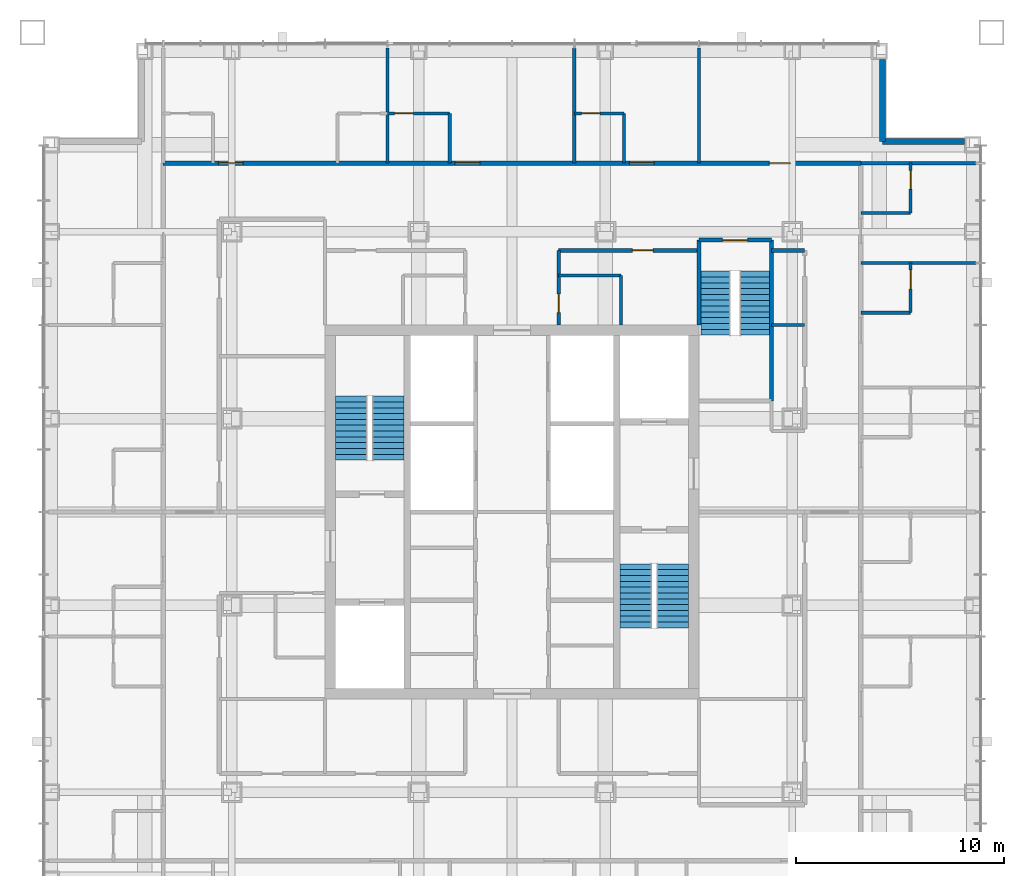
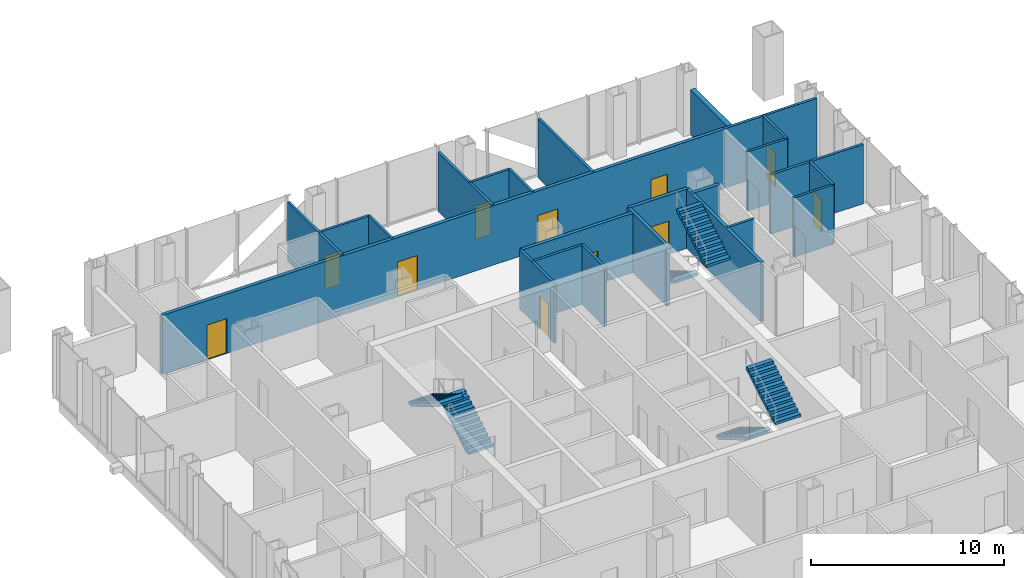
# One storey, part 11 of 17: 25 walls, 11 doors, 6 stair flights, 11 openings, 3 elements without a shape of their own.
"""IFC4 building model written with IfcOpenShell, lengths in metres."""

from ifc_helpers import new_model, si_unit, direction, frame, frame_2d, origin, place, context, subcontext, project, spatial, polyline, rectangle, outline, extrude, material, layer, layer_set, type_object, element, fill, aggregate, save


model = new_model("IFC4")

# Units and contexts
model_context = context("Model", 3, precision=1e-05, world=origin(), true_north=direction((0.0, 1.0)))
body_context = subcontext(model_context, "Body", "Model", "MODEL_VIEW")
ifc_project = project(units=[si_unit("LENGTHUNIT", "METRE"), si_unit("AREAUNIT", "SQUARE_METRE"), si_unit("VOLUMEUNIT", "CUBIC_METRE"), si_unit("PLANEANGLEUNIT", "RADIAN"), si_unit("MASSUNIT", "GRAM", prefix="KILO")], contexts=[model_context])

# Site, building, storey
site_placement = place(None, origin())
site = spatial("IfcSite", under=ifc_project, at=site_placement, CompositionType="ELEMENT")
building_placement = place(site_placement, origin())
building = spatial("IfcBuilding", under=site, at=building_placement, Name="Malebo Sky Hospital", CompositionType="ELEMENT")
storey_placement = place(building_placement, frame((0.0, 0.0, 185.0)))
storey = spatial("IfcBuildingStorey", under=building, at=storey_placement, Name="L44", CompositionType="ELEMENT", Elevation=185.0)

# Wall, openings, doors
ifc_material_1 = material(Name="Gypsum board on steel studs", Category="steel")
ifc_layer_1 = layer(ifc_material_1, 0.199951171875)
ifc_layer_set_1 = layer_set([ifc_layer_1], Name="CORRIDOR WALL 200")
wall_type_1 = type_object("IfcWallType", Name="CORRIDOR WALL 200", PredefinedType="PARTITIONING", material=ifc_layer_set_1)
wall_1_placement = place(storey_placement, frame((43.199951171875, 78.800048828125, 0.0), z_axis=(0.0, 0.0, 1.0), x_axis=(1.0, 0.0, 0.0)))
wall_1 = element("IfcWall", 1, at=wall_1_placement, inside=storey, type_object=wall_type_1, Name="Corridor Wall 200 NCO", PredefinedType="PARTITIONING", context=body_context, shape_type="SweptSolid", body=[
    extrude(rectangle(XDim=33.60009765625, YDim=0.199951171875, at=frame_2d((16.800048828125, 0.0))), origin(), (0.0, 0.0, 1.0), 3.75),
])
opening_1_placement = place(wall_1_placement, frame((2.64990234375, 0.0, 0.0)))
opening_1 = element("IfcOpeningElement", 2, at=opening_1_placement, cuts=wall_1, Name="Opening D01", PredefinedType="OPENING", context=body_context, shape_type="SweptSolid", body=[
    extrude(rectangle(XDim=1.199951171875, YDim=2.199951171875, at=frame_2d((0.60009765625, 1.10009765625))), frame((0.0, 0.10986328125, 0.0), z_axis=(0.0, -1.0, 0.0), x_axis=(1.0, 0.0, 0.0)), (0.0, 0.0, 1.0), 0.219970703125),
])
opening_2_placement = place(wall_1_placement, frame((14.050048828125, 0.0, 0.0)))
opening_2 = element("IfcOpeningElement", 3, at=opening_2_placement, cuts=wall_1, Name="Opening D01", PredefinedType="OPENING", context=body_context, shape_type="SweptSolid", body=[
    extrude(rectangle(XDim=1.199951171875, YDim=2.199951171875, at=frame_2d((0.60009765625, 1.10009765625))), frame((0.0, 0.10986328125, 0.0), z_axis=(0.0, -1.0, 0.0), x_axis=(1.0, 0.0, 0.0)), (0.0, 0.0, 1.0), 0.219970703125),
])
opening_3_placement = place(wall_1_placement, frame((22.449951171875, 0.0, 0.0)))
opening_3 = element("IfcOpeningElement", 4, at=opening_3_placement, cuts=wall_1, Name="Opening D01", PredefinedType="OPENING", context=body_context, shape_type="SweptSolid", body=[
    extrude(rectangle(XDim=1.199951171875, YDim=2.199951171875, at=frame_2d((0.60009765625, 1.10009765625))), frame((0.0, 0.10986328125, 0.0), z_axis=(0.0, -1.0, 0.0), x_axis=(1.0, 0.0, 0.0)), (0.0, 0.0, 1.0), 0.219970703125),
])
opening_4_placement = place(wall_1_placement, frame((29.199951171875, 0.0, 0.0)))
opening_4 = element("IfcOpeningElement", 5, at=opening_4_placement, cuts=wall_1, Name="Opening D03", PredefinedType="OPENING", context=body_context, shape_type="SweptSolid", body=[
    extrude(rectangle(XDim=1.0, YDim=2.10009765625, at=frame_2d((0.5, 1.050048828125))), frame((0.0, 0.10986328125, 0.0), z_axis=(0.0, -1.0, 0.0), x_axis=(1.0, 0.0, 0.0)), (0.0, 0.0, 1.0), 0.219970703125),
])
ifc_material_2 = material(Name="Hardwood-faced door leaf in steel frame", Category="steel")
door_type_1 = type_object("IfcDoorType", Name="BED DOOR 1200", OperationType="SINGLE_SWING_LEFT", PredefinedType="DOOR", material=ifc_material_2)
door_1_placement = place(opening_1_placement, origin())
door_1 = element("IfcDoor", 6, at=door_1_placement, inside=storey, type_object=door_type_1, Name="Four-bed bay door", OperationType="SINGLE_SWING_LEFT", OverallHeight=2.199951171875, OverallWidth=1.199951171875, PredefinedType="DOOR", context=body_context, shape_type="SweptSolid", body=[
    extrude(rectangle(XDim=1.199951171875, YDim=2.199951171875, at=frame_2d((0.60009765625, 1.10009765625))), frame((0.0, 0.02490234375, 0.0), z_axis=(0.0, -1.0, 0.0), x_axis=(1.0, 0.0, 0.0)), (0.0, 0.0, 1.0), 0.050048828125),
])
fill(opening_1, door_1)
door_2_placement = place(opening_2_placement, origin())
door_2 = element("IfcDoor", 7, at=door_2_placement, inside=storey, type_object=door_type_1, Name="Two-bed room door", OperationType="SINGLE_SWING_LEFT", OverallHeight=2.199951171875, OverallWidth=1.199951171875, PredefinedType="DOOR", context=body_context, shape_type="SweptSolid", body=[
    extrude(rectangle(XDim=1.199951171875, YDim=2.199951171875, at=frame_2d((0.60009765625, 1.10009765625))), frame((0.0, 0.02490234375, 0.0), z_axis=(0.0, -1.0, 0.0), x_axis=(1.0, 0.0, 0.0)), (0.0, 0.0, 1.0), 0.050048828125),
])
fill(opening_2, door_2)
door_3_placement = place(opening_3_placement, origin())
door_3 = element("IfcDoor", 8, at=door_3_placement, inside=storey, type_object=door_type_1, Name="Single bed room door", OperationType="SINGLE_SWING_LEFT", OverallHeight=2.199951171875, OverallWidth=1.199951171875, PredefinedType="DOOR", context=body_context, shape_type="SweptSolid", body=[
    extrude(rectangle(XDim=1.199951171875, YDim=2.199951171875, at=frame_2d((0.60009765625, 1.10009765625))), frame((0.0, 0.02490234375, 0.0), z_axis=(0.0, -1.0, 0.0), x_axis=(1.0, 0.0, 0.0)), (0.0, 0.0, 1.0), 0.050048828125),
])
fill(opening_3, door_3)
door_type_2 = type_object("IfcDoorType", Name="ROOM DOOR 1000", OperationType="SINGLE_SWING_LEFT", PredefinedType="DOOR", material=ifc_material_2)
door_4_placement = place(opening_4_placement, origin())
door_4 = element("IfcDoor", 9, at=door_4_placement, inside=storey, type_object=door_type_2, Name="Family room door", OperationType="SINGLE_SWING_RIGHT", OverallHeight=2.10009765625, OverallWidth=1.0, PredefinedType="DOOR", context=body_context, shape_type="SweptSolid", body=[
    extrude(rectangle(XDim=1.0, YDim=2.10009765625, at=frame_2d((0.5, 1.050048828125))), frame((0.0, 0.02490234375, 0.0), z_axis=(0.0, -1.0, 0.0), x_axis=(1.0, 0.0, 0.0)), (0.0, 0.0, 1.0), 0.050048828125),
])
fill(opening_4, door_4)

# Wall, opening, door
wall_2_placement = place(storey_placement, frame((62.25, 74.60009765625, 0.0), z_axis=(0.0, 0.0, 1.0), x_axis=(1.0, 0.0, 0.0)))
wall_2 = element("IfcWall", 10, at=wall_2_placement, inside=storey, type_object=wall_type_1, Name="Corridor Wall 200 NCI2", PredefinedType="PARTITIONING", context=body_context, shape_type="SweptSolid", body=[
    extrude(rectangle(XDim=6.75, YDim=0.199951171875, at=frame_2d((3.375, 0.0))), origin(), (0.0, 0.0, 1.0), 3.75),
])
opening_5_placement = place(wall_2_placement, frame((3.550048828125, 0.0, 0.0)))
opening_5 = element("IfcOpeningElement", 11, at=opening_5_placement, cuts=wall_2, Name="Opening D03", PredefinedType="OPENING", context=body_context, shape_type="SweptSolid", body=[
    extrude(rectangle(XDim=1.0, YDim=2.10009765625, at=frame_2d((0.5, 1.050048828125))), frame((0.0, 0.10986328125, 0.0), z_axis=(0.0, -1.0, 0.0), x_axis=(1.0, 0.0, 0.0)), (0.0, 0.0, 1.0), 0.219970703125),
])
door_5_placement = place(opening_5_placement, origin())
door_5 = element("IfcDoor", 12, at=door_5_placement, inside=storey, type_object=door_type_2, Name="Medication room door", OperationType="SINGLE_SWING_RIGHT", OverallHeight=2.10009765625, OverallWidth=1.0, PredefinedType="DOOR", context=body_context, shape_type="SweptSolid", body=[
    extrude(rectangle(XDim=1.0, YDim=2.10009765625, at=frame_2d((0.5, 1.050048828125))), frame((0.0, 0.02490234375, 0.0), z_axis=(0.0, -1.0, 0.0), x_axis=(1.0, 0.0, 0.0)), (0.0, 0.0, 1.0), 0.050048828125),
])
fill(opening_5, door_5)

# Walls
wall_3_placement = place(storey_placement, frame((72.5, 74.60009765625, 0.0), z_axis=(0.0, 0.0, 1.0), x_axis=(1.0, 0.0, 0.0)))
element("IfcWall", 13, at=wall_3_placement, inside=storey, type_object=wall_type_1, Name="Corridor Wall 200 NCI2/2", PredefinedType="PARTITIONING", context=body_context, shape_type="SweptSolid", body=[
    extrude(rectangle(XDim=1.60009765625, YDim=0.199951171875, at=frame_2d((0.800048828125, 0.0))), origin(), (0.0, 0.0, 1.0), 3.75),
])
ifc_material_3 = material(Name="Anodised aluminium rainscreen on steel framing", Category="steel")
ifc_layer_2 = layer(ifc_material_3, 0.300048828125)
ifc_layer_set_2 = layer_set([ifc_layer_2], Name="NOTCH RAINSCREEN WALL 300")
wall_type_2 = type_object("IfcWallType", Name="NOTCH RAINSCREEN WALL 300", PredefinedType="ELEMENTEDWALL", material=ifc_layer_set_2)
for number, where, z_axis, x_axis, name in (
    (14, (77.85009765625, 83.800048828125, 0.0), (0.0, 0.0, 1.0), (0.0, -1.0, 0.0), "Notch rainscreen wall N1 L44"),
    (15, (77.85009765625, 79.85009765625, 0.0), (0.0, 0.0, 1.0), (1.0, 0.0, 0.0), "Notch rainscreen wall N2 L44"),
):
    element("IfcWall", number, at=place(storey_placement, frame(where, z_axis=z_axis, x_axis=x_axis)), inside=storey, type_object=wall_type_2, Name=name, PredefinedType="ELEMENTEDWALL", context=body_context, shape_type="SweptSolid", body=[
        extrude(rectangle(XDim=3.949951171875, YDim=0.300048828125, at=frame_2d((1.97509765625, 0.0))), origin(), (0.0, 0.0, 1.0), 2.85009765625),
    ])
ifc_layer_3 = layer(ifc_material_1, 0.14990234375)
ifc_layer_set_3 = layer_set([ifc_layer_3], Name="PARTITION 150")
wall_type_3 = type_object("IfcWallType", Name="PARTITION 150", PredefinedType="PARTITIONING", material=ifc_layer_set_3)
for number, where, z_axis, x_axis, name in (
    (16, (54.0, 78.800048828125, 0.0), (0.0, 0.0, 1.0), (0.0, 1.0, 0.0), "Partition 150 NP-6.0"),
    (17, (63.0, 78.800048828125, 0.0), (0.0, 0.0, 1.0), (0.0, 1.0, 0.0), "Partition 150 NP+3.0"),
    (18, (69.0, 78.800048828125, 0.0), (0.0, 0.0, 1.0), (0.0, 1.0, 0.0), "Partition 150 NP+9.0"),
):
    element("IfcWall", number, at=place(storey_placement, frame(where, z_axis=z_axis, x_axis=x_axis)), inside=storey, type_object=wall_type_3, Name=name, PredefinedType="PARTITIONING", context=body_context, shape_type="SweptSolid", body=[
        extrude(rectangle(XDim=5.550048828125, YDim=0.14990234375, at=frame_2d((2.77490234375, 0.0))), origin(), (0.0, 0.0, 1.0), 3.75),
    ])

# Wall, opening, door
wall_4_placement = place(storey_placement, frame((54.0, 81.199951171875, 0.0), z_axis=(0.0, 0.0, 1.0), x_axis=(1.0, 0.0, 0.0)))
wall_4 = element("IfcWall", 19, at=wall_4_placement, inside=storey, type_object=wall_type_3, Name="Partition 150 NE1F", PredefinedType="PARTITIONING", context=body_context, shape_type="SweptSolid", body=[
    extrude(rectangle(XDim=3.0, YDim=0.14990234375, at=frame_2d((1.5, 0.0))), origin(), (0.0, 0.0, 1.0), 3.75),
])
opening_6_placement = place(wall_4_placement, frame((0.35009765625, 0.0, 0.0)))
opening_6 = element("IfcOpeningElement", 20, at=opening_6_placement, cuts=wall_4, Name="Opening D02", PredefinedType="OPENING", context=body_context, shape_type="SweptSolid", body=[
    extrude(rectangle(XDim=0.89990234375, YDim=2.10009765625, at=frame_2d((0.449951171875, 1.050048828125))), frame((0.0, 0.0849609375, 0.0), z_axis=(0.0, -1.0, 0.0), x_axis=(1.0, 0.0, 0.0)), (0.0, 0.0, 1.0), 0.169921875),
])
door_type_3 = type_object("IfcDoorType", Name="EN-SUITE DOOR 900", OperationType="SINGLE_SWING_LEFT", PredefinedType="DOOR", material=ifc_material_2)
door_6_placement = place(opening_6_placement, origin())
door_6 = element("IfcDoor", 21, at=door_6_placement, inside=storey, type_object=door_type_3, Name="En-suite door", OperationType="SINGLE_SWING_LEFT", OverallHeight=2.10009765625, OverallWidth=0.89990234375, PredefinedType="DOOR", context=body_context, shape_type="SweptSolid", body=[
    extrude(rectangle(XDim=0.89990234375, YDim=2.10009765625, at=frame_2d((0.449951171875, 1.050048828125))), frame((0.0, 0.02490234375, 0.0), z_axis=(0.0, -1.0, 0.0), x_axis=(1.0, 0.0, 0.0)), (0.0, 0.0, 1.0), 0.050048828125),
])
fill(opening_6, door_6)

# Wall
wall_5_placement = place(storey_placement, frame((57.0, 78.800048828125, 0.0), z_axis=(0.0, 0.0, 1.0), x_axis=(0.0, 1.0, 0.0)))
element("IfcWall", 22, at=wall_5_placement, inside=storey, type_object=wall_type_3, Name="Partition 150 NE1S", PredefinedType="PARTITIONING", context=body_context, shape_type="SweptSolid", body=[
    extrude(rectangle(XDim=2.39990234375, YDim=0.14990234375, at=frame_2d((1.199951171875, 0.0))), origin(), (0.0, 0.0, 1.0), 3.75),
])

# Wall, opening, door
wall_6_placement = place(storey_placement, frame((63.0, 81.199951171875, 0.0), z_axis=(0.0, 0.0, 1.0), x_axis=(1.0, 0.0, 0.0)))
wall_6 = element("IfcWall", 23, at=wall_6_placement, inside=storey, type_object=wall_type_3, Name="Partition 150 NE2F", PredefinedType="PARTITIONING", context=body_context, shape_type="SweptSolid", body=[
    extrude(rectangle(XDim=2.39990234375, YDim=0.14990234375, at=frame_2d((1.199951171875, 0.0))), origin(), (0.0, 0.0, 1.0), 3.75),
])
opening_7_placement = place(wall_6_placement, frame((0.35009765625, 0.0, 0.0)))
opening_7 = element("IfcOpeningElement", 24, at=opening_7_placement, cuts=wall_6, Name="Opening D02", PredefinedType="OPENING", context=body_context, shape_type="SweptSolid", body=[
    extrude(rectangle(XDim=0.89990234375, YDim=2.10009765625, at=frame_2d((0.449951171875, 1.050048828125))), frame((0.0, 0.0849609375, 0.0), z_axis=(0.0, -1.0, 0.0), x_axis=(1.0, 0.0, 0.0)), (0.0, 0.0, 1.0), 0.169921875),
])
door_7_placement = place(opening_7_placement, origin())
door_7 = element("IfcDoor", 25, at=door_7_placement, inside=storey, type_object=door_type_3, Name="En-suite door", OperationType="SINGLE_SWING_LEFT", OverallHeight=2.10009765625, OverallWidth=0.89990234375, PredefinedType="DOOR", context=body_context, shape_type="SweptSolid", body=[
    extrude(rectangle(XDim=0.89990234375, YDim=2.10009765625, at=frame_2d((0.449951171875, 1.050048828125))), frame((0.0, 0.02490234375, 0.0), z_axis=(0.0, -1.0, 0.0), x_axis=(1.0, 0.0, 0.0)), (0.0, 0.0, 1.0), 0.050048828125),
])
fill(opening_7, door_7)

# Wall
wall_7_placement = place(storey_placement, frame((65.39990234375, 78.800048828125, 0.0), z_axis=(0.0, 0.0, 1.0), x_axis=(0.0, 1.0, 0.0)))
element("IfcWall", 26, at=wall_7_placement, inside=storey, type_object=wall_type_3, Name="Partition 150 NE2S", PredefinedType="PARTITIONING", context=body_context, shape_type="SweptSolid", body=[
    extrude(rectangle(XDim=2.39990234375, YDim=0.14990234375, at=frame_2d((1.199951171875, 0.0))), origin(), (0.0, 0.0, 1.0), 3.75),
])

# Wall, opening, door
wall_8_placement = place(storey_placement, frame((62.25, 71.0, 0.0), z_axis=(0.0, 0.0, 1.0), x_axis=(0.0, 1.0, 0.0)))
wall_8 = element("IfcWall", 27, at=wall_8_placement, inside=storey, type_object=wall_type_3, Name="Partition 150 NSPB", PredefinedType="PARTITIONING", context=body_context, shape_type="SweptSolid", body=[
    extrude(rectangle(XDim=3.60009765625, YDim=0.14990234375, at=frame_2d((1.800048828125, 0.0))), origin(), (0.0, 0.0, 1.0), 3.75),
])
opening_8_placement = place(wall_8_placement, frame((0.60009765625, 0.0, 0.0)))
opening_8 = element("IfcOpeningElement", 28, at=opening_8_placement, cuts=wall_8, Name="Opening D04", PredefinedType="OPENING", context=body_context, shape_type="SweptSolid", body=[
    extrude(rectangle(XDim=0.89990234375, YDim=2.10009765625, at=frame_2d((0.449951171875, 1.050048828125))), frame((0.0, 0.0849609375, 0.0), z_axis=(0.0, -1.0, 0.0), x_axis=(1.0, 0.0, 0.0)), (0.0, 0.0, 1.0), 0.169921875),
])
door_type_4 = type_object("IfcDoorType", Name="ROOM DOOR 900", OperationType="SINGLE_SWING_LEFT", PredefinedType="DOOR", material=ifc_material_2)
door_8_placement = place(opening_8_placement, origin())
door_8 = element("IfcDoor", 29, at=door_8_placement, inside=storey, type_object=door_type_4, Name="Accessible WC door", OperationType="SINGLE_SWING_LEFT", OverallHeight=2.10009765625, OverallWidth=0.89990234375, PredefinedType="DOOR", context=body_context, shape_type="SweptSolid", body=[
    extrude(rectangle(XDim=0.89990234375, YDim=2.10009765625, at=frame_2d((0.449951171875, 1.050048828125))), frame((0.0, 0.02490234375, 0.0), z_axis=(0.0, -1.0, 0.0), x_axis=(1.0, 0.0, 0.0)), (0.0, 0.0, 1.0), 0.050048828125),
])
fill(opening_8, door_8)

# Walls
wall_9_placement = place(storey_placement, frame((62.25, 73.39990234375, 0.0), z_axis=(0.0, 0.0, 1.0), x_axis=(1.0, 0.0, 0.0)))
element("IfcWall", 30, at=wall_9_placement, inside=storey, type_object=wall_type_3, Name="Partition 150 NSX1", PredefinedType="PARTITIONING", context=body_context, shape_type="SweptSolid", body=[
    extrude(rectangle(XDim=3.0, YDim=0.14990234375, at=frame_2d((1.5, 0.0))), origin(), (0.0, 0.0, 1.0), 3.75),
])
wall_10_placement = place(storey_placement, frame((65.25, 71.0, 0.0), z_axis=(0.0, 0.0, 1.0), x_axis=(0.0, 1.0, 0.0)))
element("IfcWall", 31, at=wall_10_placement, inside=storey, type_object=wall_type_3, Name="Partition 150 NSY1", PredefinedType="PARTITIONING", context=body_context, shape_type="SweptSolid", body=[
    extrude(rectangle(XDim=2.39990234375, YDim=0.14990234375, at=frame_2d((1.199951171875, 0.0))), origin(), (0.0, 0.0, 1.0), 3.75),
])
for number, where, z_axis, x_axis, name in (
    (32, (76.800048828125, 74.0, 0.0), (0.0, 0.0, 1.0), (1.0, 0.0, 0.0), "Partition 150 EP-12.0"),
    (33, (76.800048828125, 78.800048828125, 0.0), (0.0, 0.0, 1.0), (1.0, 0.0, 0.0), "Partition 150 EP0"),
):
    element("IfcWall", number, at=place(storey_placement, frame(where, z_axis=z_axis, x_axis=x_axis)), inside=storey, type_object=wall_type_3, Name=name, PredefinedType="PARTITIONING", context=body_context, shape_type="SweptSolid", body=[
        extrude(rectangle(XDim=5.550048828125, YDim=0.14990234375, at=frame_2d((2.77490234375, 0.0))), origin(), (0.0, 0.0, 1.0), 3.75),
    ])

# Wall, opening, door
wall_11_placement = place(storey_placement, frame((79.199951171875, 78.800048828125, 0.0), z_axis=(0.0, 0.0, 1.0), x_axis=(0.0, -1.0, 0.0)))
wall_11 = element("IfcWall", 34, at=wall_11_placement, inside=storey, type_object=wall_type_3, Name="Partition 150 EE0F", PredefinedType="PARTITIONING", context=body_context, shape_type="SweptSolid", body=[
    extrude(rectangle(XDim=2.400146484375, YDim=0.14990234375, at=frame_2d((1.2001953125, 0.0))), origin(), (0.0, 0.0, 1.0), 3.75),
])
opening_9_placement = place(wall_11_placement, frame((0.35009765625, 0.0, 0.0)))
opening_9 = element("IfcOpeningElement", 35, at=opening_9_placement, cuts=wall_11, Name="Opening D02", PredefinedType="OPENING", context=body_context, shape_type="SweptSolid", body=[
    extrude(rectangle(XDim=0.89990234375, YDim=2.10009765625, at=frame_2d((0.449951171875, 1.050048828125))), frame((0.0, 0.0849609375, 0.0), z_axis=(0.0, -1.0, 0.0), x_axis=(1.0, 0.0, 0.0)), (0.0, 0.0, 1.0), 0.169921875),
])
door_9_placement = place(opening_9_placement, origin())
door_9 = element("IfcDoor", 36, at=door_9_placement, inside=storey, type_object=door_type_3, Name="En-suite door", OperationType="SINGLE_SWING_LEFT", OverallHeight=2.10009765625, OverallWidth=0.89990234375, PredefinedType="DOOR", context=body_context, shape_type="SweptSolid", body=[
    extrude(rectangle(XDim=0.89990234375, YDim=2.10009765625, at=frame_2d((0.449951171875, 1.050048828125))), frame((0.0, 0.02490234375, 0.0), z_axis=(0.0, -1.0, 0.0), x_axis=(1.0, 0.0, 0.0)), (0.0, 0.0, 1.0), 0.050048828125),
])
fill(opening_9, door_9)

# Wall
wall_12_placement = place(storey_placement, frame((76.800048828125, 76.39990234375, 0.0), z_axis=(0.0, 0.0, 1.0), x_axis=(1.0, 0.0, 0.0)))
element("IfcWall", 37, at=wall_12_placement, inside=storey, type_object=wall_type_3, Name="Partition 150 EE0S", PredefinedType="PARTITIONING", context=body_context, shape_type="SweptSolid", body=[
    extrude(rectangle(XDim=2.39990234375, YDim=0.14990234375, at=frame_2d((1.199951171875, 0.0))), origin(), (0.0, 0.0, 1.0), 3.75),
])

# Wall, opening, door
wall_13_placement = place(storey_placement, frame((79.199951171875, 74.0, 0.0), z_axis=(0.0, 0.0, 1.0), x_axis=(0.0, -1.0, 0.0)))
wall_13 = element("IfcWall", 38, at=wall_13_placement, inside=storey, type_object=wall_type_3, Name="Partition 150 EE1F", PredefinedType="PARTITIONING", context=body_context, shape_type="SweptSolid", body=[
    extrude(rectangle(XDim=2.39990234375, YDim=0.14990234375, at=frame_2d((1.199951171875, 0.0))), origin(), (0.0, 0.0, 1.0), 3.75),
])
opening_10_placement = place(wall_13_placement, frame((0.35009765625, 0.0, 0.0)))
opening_10 = element("IfcOpeningElement", 39, at=opening_10_placement, cuts=wall_13, Name="Opening D02", PredefinedType="OPENING", context=body_context, shape_type="SweptSolid", body=[
    extrude(rectangle(XDim=0.89990234375, YDim=2.10009765625, at=frame_2d((0.449951171875, 1.050048828125))), frame((0.0, 0.0849609375, 0.0), z_axis=(0.0, -1.0, 0.0), x_axis=(1.0, 0.0, 0.0)), (0.0, 0.0, 1.0), 0.169921875),
])
door_10_placement = place(opening_10_placement, origin())
door_10 = element("IfcDoor", 40, at=door_10_placement, inside=storey, type_object=door_type_3, Name="En-suite door", OperationType="SINGLE_SWING_LEFT", OverallHeight=2.10009765625, OverallWidth=0.89990234375, PredefinedType="DOOR", context=body_context, shape_type="SweptSolid", body=[
    extrude(rectangle(XDim=0.89990234375, YDim=2.10009765625, at=frame_2d((0.449951171875, 1.050048828125))), frame((0.0, 0.02490234375, 0.0), z_axis=(0.0, -1.0, 0.0), x_axis=(1.0, 0.0, 0.0)), (0.0, 0.0, 1.0), 0.050048828125),
])
fill(opening_10, door_10)

# Walls
wall_14_placement = place(storey_placement, frame((76.800048828125, 71.60009765625, 0.0), z_axis=(0.0, 0.0, 1.0), x_axis=(1.0, 0.0, 0.0)))
element("IfcWall", 41, at=wall_14_placement, inside=storey, type_object=wall_type_3, Name="Partition 150 EE1S", PredefinedType="PARTITIONING", context=body_context, shape_type="SweptSolid", body=[
    extrude(rectangle(XDim=2.39990234375, YDim=0.14990234375, at=frame_2d((1.199951171875, 0.0))), origin(), (0.0, 0.0, 1.0), 3.75),
])
wall_15_placement = place(storey_placement, frame((72.5, 71.0, 0.0), z_axis=(0.0, 0.0, 1.0), x_axis=(1.0, 0.0, 0.0)))
element("IfcWall", 42, at=wall_15_placement, inside=storey, type_object=wall_type_3, Name="Partition 150 ESP0", PredefinedType="PARTITIONING", context=body_context, shape_type="SweptSolid", body=[
    extrude(rectangle(XDim=1.60009765625, YDim=0.14990234375, at=frame_2d((0.800048828125, 0.0))), origin(), (0.0, 0.0, 1.0), 3.75),
])
ifc_material_4 = material(Name="Concrete C40/50", Category="concrete")
ifc_layer_4 = layer(ifc_material_4, 0.199951171875)
ifc_layer_set_4 = layer_set([ifc_layer_4], Name="STAIR ENCLOSURE WALL 200")
wall_type_4 = type_object("IfcWallType", Name="STAIR ENCLOSURE WALL 200", PredefinedType="SOLIDWALL", material=ifc_layer_set_4)
wall_16_placement = place(storey_placement, frame((69.0, 71.0, 0.0), z_axis=(0.0, 0.0, 1.0), x_axis=(0.0, 1.0, 0.0)))
element("IfcWall", 43, at=wall_16_placement, inside=storey, type_object=wall_type_4, Name="Stair Enclosure Wall 200 ST3W", PredefinedType="SOLIDWALL", context=body_context, shape_type="SweptSolid", body=[
    extrude(rectangle(XDim=4.10009765625, YDim=0.199951171875, at=frame_2d((2.050048828125, 0.0))), origin(), (0.0, 0.0, 1.0), 3.75),
])
wall_17_placement = place(storey_placement, frame((72.5, 67.35009765625, 0.0), z_axis=(0.0, 0.0, 1.0), x_axis=(0.0, 1.0, 0.0)))
element("IfcWall", 44, at=wall_17_placement, inside=storey, type_object=wall_type_4, Name="Stair Enclosure Wall 200 ST3E", PredefinedType="SOLIDWALL", context=body_context, shape_type="SweptSolid", body=[
    extrude(rectangle(XDim=7.75, YDim=0.199951171875, at=frame_2d((3.875, 0.0))), origin(), (0.0, 0.0, 1.0), 3.75),
])

# Wall, opening, door
wall_18_placement = place(storey_placement, frame((69.0, 75.10009765625, 0.0), z_axis=(0.0, 0.0, 1.0), x_axis=(1.0, 0.0, 0.0)))
wall_18 = element("IfcWall", 45, at=wall_18_placement, inside=storey, type_object=wall_type_4, Name="Stair Enclosure Wall 200 ST3N", PredefinedType="SOLIDWALL", context=body_context, shape_type="SweptSolid", body=[
    extrude(rectangle(XDim=3.5, YDim=0.199951171875, at=frame_2d((1.75, 0.0))), origin(), (0.0, 0.0, 1.0), 3.75),
])
opening_11_placement = place(wall_18_placement, frame((1.14990234375, 0.0, 0.0)))
opening_11 = element("IfcOpeningElement", 46, at=opening_11_placement, cuts=wall_18, Name="Opening D08", PredefinedType="OPENING", context=body_context, shape_type="SweptSolid", body=[
    extrude(rectangle(XDim=1.199951171875, YDim=2.10009765625, at=frame_2d((0.60009765625, 1.050048828125))), frame((0.0, 0.10986328125, 0.0), z_axis=(0.0, -1.0, 0.0), x_axis=(1.0, 0.0, 0.0)), (0.0, 0.0, 1.0), 0.219970703125),
])
door_type_5 = type_object("IfcDoorType", Name="STAIR DOOR 1200", OperationType="SINGLE_SWING_LEFT", PredefinedType="DOOR", material=ifc_material_2)
door_11_placement = place(opening_11_placement, origin())
door_11 = element("IfcDoor", 47, at=door_11_placement, inside=storey, type_object=door_type_5, Name="Stair S3 door", OperationType="SINGLE_SWING_LEFT", OverallHeight=2.10009765625, OverallWidth=1.199951171875, PredefinedType="DOOR", context=body_context, shape_type="SweptSolid", body=[
    extrude(rectangle(XDim=1.199951171875, YDim=2.10009765625, at=frame_2d((0.60009765625, 1.050048828125))), frame((0.0, 0.02490234375, 0.0), z_axis=(0.0, -1.0, 0.0), x_axis=(1.0, 0.0, 0.0)), (0.0, 0.0, 1.0), 0.050048828125),
])
fill(opening_11, door_11)

# Stair, stair flights
stair_type_1 = type_object("IfcStairType", Name="HALF-TURN STAIR 1400 R167", PredefinedType="HALF_TURN_STAIR", material=ifc_material_4)
stair_1_placement = place(storey_placement, origin())
stair_1 = element("IfcStair", 48, at=stair_1_placement, inside=storey, type_object=stair_type_1, Name="Stair S3 L44 type ST1B", PredefinedType="HALF_TURN_STAIR")
stair_flight_type_1 = type_object("IfcStairFlightType", Name="STAIR FLIGHT 1400 R167", PredefinedType="STRAIGHT", material=ifc_material_4)
stair_flight_1_placement = place(storey_placement, frame((69.800048828125, 73.60009765625, 0.0), z_axis=(0.0, 0.0, 1.0), x_axis=(0.0, -1.0, 0.0)))
stair_flight_1 = element("IfcStairFlight", 49, at=stair_flight_1_placement, type_object=stair_flight_type_1, Name="S3 flight 1 type SF1B", NumberOfRisers=12, NumberOfTreads=11, PredefinedType="STRAIGHT", RiserHeight=0.166666667, TreadLength=0.28, context=body_context, shape_type="SweptSolid", body=[
    extrude(outline(polyline([(0.0, 0.0), (0.0, 0.166748046875), (0.280029296875, 0.166748046875), (0.280029296875, 0.333251953125), (0.56005859375, 0.333251953125), (0.56005859375, 0.5), (0.840087890625, 0.5), (0.840087890625, 0.666748046875), (1.1201171875, 0.666748046875), (1.1201171875, 0.833251953125), (1.39990234375, 0.833251953125), (1.39990234375, 1.0), (1.679931640625, 1.0), (1.679931640625, 1.166748046875), (1.9599609375, 1.166748046875), (1.9599609375, 1.333251953125), (2.239990234375, 1.333251953125), (2.239990234375, 1.5), (2.52001953125, 1.5), (2.52001953125, 1.666748046875), (2.800048828125, 1.666748046875), (2.800048828125, 1.833251953125), (3.080078125, 1.833251953125), (3.080078125, 2.0), (3.080078125, 1.658935546875), (0.29296875, 0.0), (0.0, 0.0)])), frame((0.0, 0.699951171875, 0.0), z_axis=(0.0, -1.0, 0.0), x_axis=(1.0, 0.0, 0.0)), (0.0, 0.0, 1.0), 1.39990234375),
])
stair_flight_2_placement = place(storey_placement, frame((71.699951171875, 70.52001953125, 2.0), z_axis=(0.0, 0.0, 1.0), x_axis=(0.0, 1.0, 0.0)))
stair_flight_2 = element("IfcStairFlight", 50, at=stair_flight_2_placement, type_object=stair_flight_type_1, Name="S3 flight 2 type SF1B", NumberOfRisers=12, NumberOfTreads=11, PredefinedType="STRAIGHT", RiserHeight=0.166666667, TreadLength=0.28, context=body_context, shape_type="SweptSolid", body=[
    extrude(outline(polyline([(0.0, 0.0), (0.0, 0.166748046875), (0.280029296875, 0.166748046875), (0.280029296875, 0.333251953125), (0.56005859375, 0.333251953125), (0.56005859375, 0.5), (0.840087890625, 0.5), (0.840087890625, 0.666748046875), (1.1201171875, 0.666748046875), (1.1201171875, 0.833251953125), (1.39990234375, 0.833251953125), (1.39990234375, 1.0), (1.679931640625, 1.0), (1.679931640625, 1.166748046875), (1.9599609375, 1.166748046875), (1.9599609375, 1.333251953125), (2.239990234375, 1.333251953125), (2.239990234375, 1.5), (2.52001953125, 1.5), (2.52001953125, 1.666748046875), (2.800048828125, 1.666748046875), (2.800048828125, 1.833251953125), (3.080078125, 1.833251953125), (3.080078125, 2.0), (3.080078125, 1.658935546875), (0.29296875, 0.0), (0.0, 0.0)])), frame((0.0, 0.699951171875, 0.0), z_axis=(0.0, -1.0, 0.0), x_axis=(1.0, 0.0, 0.0)), (0.0, 0.0, 1.0), 1.39990234375),
])
aggregate(stair_1, [stair_flight_1, stair_flight_2])

stair_type_2 = type_object("IfcStairType", Name="HALF-TURN STAIR 1500 R167", PredefinedType="HALF_TURN_STAIR", material=ifc_material_4)
stair_2_placement = place(storey_placement, origin())
stair_2 = element("IfcStair", 51, at=stair_2_placement, inside=storey, type_object=stair_type_2, Name="Stair S1 L44 type ST1", PredefinedType="HALF_TURN_STAIR")
stair_flight_type_2 = type_object("IfcStairFlightType", Name="STAIR FLIGHT 1500 R167", PredefinedType="STRAIGHT", material=ifc_material_4)
stair_flight_3_placement = place(storey_placement, frame((54.050048828125, 64.5, 0.0), z_axis=(0.0, 0.0, 1.0), x_axis=(0.0, 1.0, 0.0)))
stair_flight_3 = element("IfcStairFlight", 52, at=stair_flight_3_placement, type_object=stair_flight_type_2, Name="S1 flight 1 type SF1", NumberOfRisers=12, NumberOfTreads=11, PredefinedType="STRAIGHT", RiserHeight=0.166666667, TreadLength=0.28, context=body_context, shape_type="SweptSolid", body=[
    extrude(outline(polyline([(0.0, 0.0), (0.0, 0.166748046875), (0.280029296875, 0.166748046875), (0.280029296875, 0.333251953125), (0.56005859375, 0.333251953125), (0.56005859375, 0.5), (0.840087890625, 0.5), (0.840087890625, 0.666748046875), (1.1201171875, 0.666748046875), (1.1201171875, 0.833251953125), (1.39990234375, 0.833251953125), (1.39990234375, 1.0), (1.679931640625, 1.0), (1.679931640625, 1.166748046875), (1.9599609375, 1.166748046875), (1.9599609375, 1.333251953125), (2.239990234375, 1.333251953125), (2.239990234375, 1.5), (2.52001953125, 1.5), (2.52001953125, 1.666748046875), (2.800048828125, 1.666748046875), (2.800048828125, 1.833251953125), (3.080078125, 1.833251953125), (3.080078125, 2.0), (3.080078125, 1.658935546875), (0.29296875, 0.0), (0.0, 0.0)])), frame((0.0, 0.75, 0.0), z_axis=(0.0, -1.0, 0.0), x_axis=(1.0, 0.0, 0.0)), (0.0, 0.0, 1.0), 1.5),
])
stair_flight_4_placement = place(storey_placement, frame((52.25, 67.580078125, 2.0), z_axis=(0.0, 0.0, 1.0), x_axis=(0.0, -1.0, 0.0)))
stair_flight_4 = element("IfcStairFlight", 53, at=stair_flight_4_placement, type_object=stair_flight_type_2, Name="S1 flight 2 type SF1", NumberOfRisers=12, NumberOfTreads=11, PredefinedType="STRAIGHT", RiserHeight=0.166666667, TreadLength=0.28, context=body_context, shape_type="SweptSolid", body=[
    extrude(outline(polyline([(0.0, 0.0), (0.0, 0.166748046875), (0.280029296875, 0.166748046875), (0.280029296875, 0.333251953125), (0.56005859375, 0.333251953125), (0.56005859375, 0.5), (0.840087890625, 0.5), (0.840087890625, 0.666748046875), (1.1201171875, 0.666748046875), (1.1201171875, 0.833251953125), (1.39990234375, 0.833251953125), (1.39990234375, 1.0), (1.679931640625, 1.0), (1.679931640625, 1.166748046875), (1.9599609375, 1.166748046875), (1.9599609375, 1.333251953125), (2.239990234375, 1.333251953125), (2.239990234375, 1.5), (2.52001953125, 1.5), (2.52001953125, 1.666748046875), (2.800048828125, 1.666748046875), (2.800048828125, 1.833251953125), (3.080078125, 1.833251953125), (3.080078125, 2.0), (3.080078125, 1.658935546875), (0.29296875, 0.0), (0.0, 0.0)])), frame((0.0, 0.75, 0.0), z_axis=(0.0, -1.0, 0.0), x_axis=(1.0, 0.0, 0.0)), (0.0, 0.0, 1.0), 1.5),
])
aggregate(stair_2, [stair_flight_3, stair_flight_4])

stair_3_placement = place(storey_placement, origin())
stair_3 = element("IfcStair", 54, at=stair_3_placement, inside=storey, type_object=stair_type_2, Name="Stair S2 L44 type ST1", PredefinedType="HALF_TURN_STAIR")
stair_flight_5_placement = place(storey_placement, frame((65.949951171875, 59.5, 0.0), z_axis=(0.0, 0.0, 1.0), x_axis=(0.0, -1.0, 0.0)))
stair_flight_5 = element("IfcStairFlight", 55, at=stair_flight_5_placement, type_object=stair_flight_type_2, Name="S2 flight 1 type SF1", NumberOfRisers=12, NumberOfTreads=11, PredefinedType="STRAIGHT", RiserHeight=0.166666667, TreadLength=0.28, context=body_context, shape_type="SweptSolid", body=[
    extrude(outline(polyline([(0.0, 0.0), (0.0, 0.166748046875), (0.280029296875, 0.166748046875), (0.280029296875, 0.333251953125), (0.56005859375, 0.333251953125), (0.56005859375, 0.5), (0.840087890625, 0.5), (0.840087890625, 0.666748046875), (1.1201171875, 0.666748046875), (1.1201171875, 0.833251953125), (1.39990234375, 0.833251953125), (1.39990234375, 1.0), (1.679931640625, 1.0), (1.679931640625, 1.166748046875), (1.9599609375, 1.166748046875), (1.9599609375, 1.333251953125), (2.239990234375, 1.333251953125), (2.239990234375, 1.5), (2.52001953125, 1.5), (2.52001953125, 1.666748046875), (2.800048828125, 1.666748046875), (2.800048828125, 1.833251953125), (3.080078125, 1.833251953125), (3.080078125, 2.0), (3.080078125, 1.658935546875), (0.29296875, 0.0), (0.0, 0.0)])), frame((0.0, 0.75, 0.0), z_axis=(0.0, -1.0, 0.0), x_axis=(1.0, 0.0, 0.0)), (0.0, 0.0, 1.0), 1.5),
])
stair_flight_6_placement = place(storey_placement, frame((67.75, 56.419921875, 2.0), z_axis=(0.0, 0.0, 1.0), x_axis=(0.0, 1.0, 0.0)))
stair_flight_6 = element("IfcStairFlight", 56, at=stair_flight_6_placement, type_object=stair_flight_type_2, Name="S2 flight 2 type SF1", NumberOfRisers=12, NumberOfTreads=11, PredefinedType="STRAIGHT", RiserHeight=0.166666667, TreadLength=0.28, context=body_context, shape_type="SweptSolid", body=[
    extrude(outline(polyline([(0.0, 0.0), (0.0, 0.166748046875), (0.280029296875, 0.166748046875), (0.280029296875, 0.333251953125), (0.56005859375, 0.333251953125), (0.56005859375, 0.5), (0.840087890625, 0.5), (0.840087890625, 0.666748046875), (1.1201171875, 0.666748046875), (1.1201171875, 0.833251953125), (1.39990234375, 0.833251953125), (1.39990234375, 1.0), (1.679931640625, 1.0), (1.679931640625, 1.166748046875), (1.9599609375, 1.166748046875), (1.9599609375, 1.333251953125), (2.239990234375, 1.333251953125), (2.239990234375, 1.5), (2.52001953125, 1.5), (2.52001953125, 1.666748046875), (2.800048828125, 1.666748046875), (2.800048828125, 1.833251953125), (3.080078125, 1.833251953125), (3.080078125, 2.0), (3.080078125, 1.658935546875), (0.29296875, 0.0), (0.0, 0.0)])), frame((0.0, 0.75, 0.0), z_axis=(0.0, -1.0, 0.0), x_axis=(1.0, 0.0, 0.0)), (0.0, 0.0, 1.0), 1.5),
])
aggregate(stair_3, [stair_flight_5, stair_flight_6])

save(model, "model.ifc")
